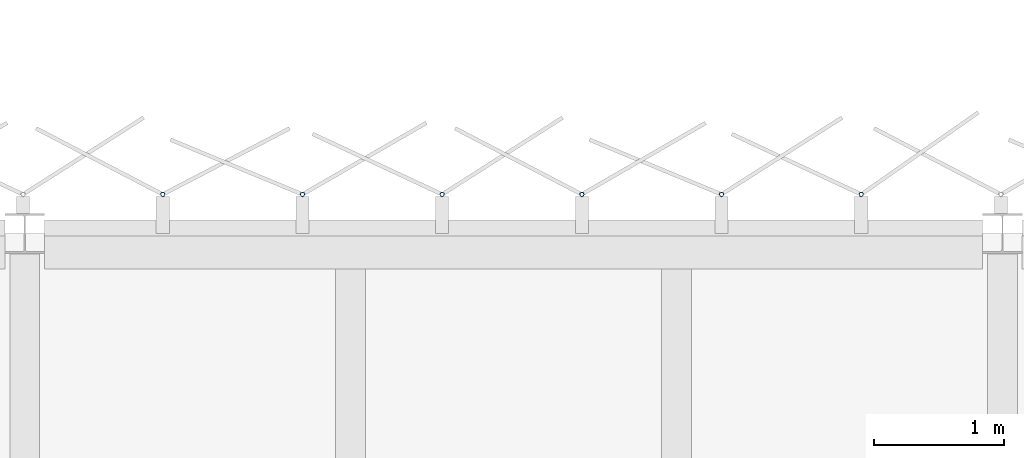
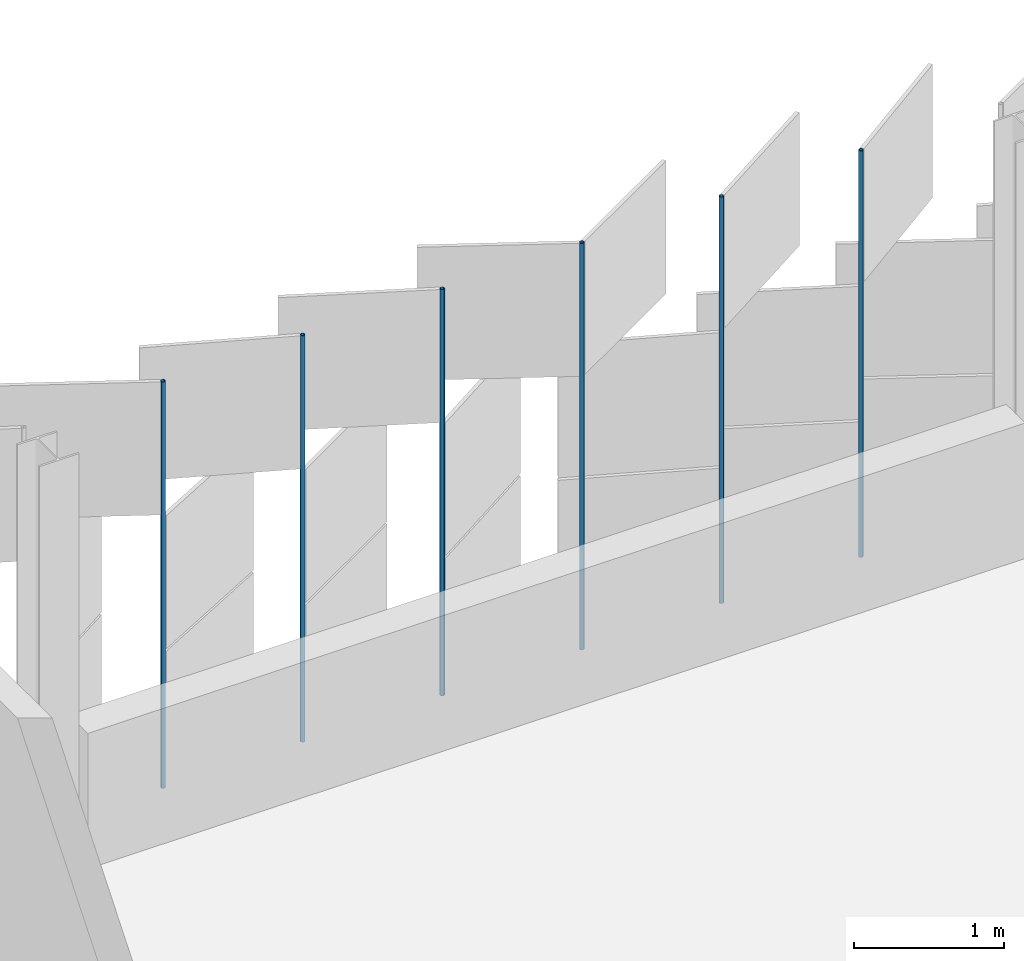
# One storey, part 138 of 198: 6 discrete accessories.
"""IFC4 building model written with IfcOpenShell, lengths in metres."""

import ifcopenshell
import ifcopenshell.guid

model = None  # the IFC model being written
_history = None  # IfcOwnerHistory: only IFC2X3 demands one
_inside = {}  # id of a spatial element -> (the spatial element, [elements in it])
_under = {}  # id of a project, library or spatial element -> (it, [spatial elements below it])
_declared = {}  # id of a project -> (the project, [libraries it declares])
_typed = {}  # id of a type object -> (the type object, [elements of that type])
_made_of = {}  # id of a material, layer set ... -> (it, [elements and type objects made of it])


def new_model(schema):
    """Start an empty IFC model of exactly this schema.

    Asked for "IFC4X3", IfcOpenShell would pick the latest addendum, in which some entities
    have other attributes; the version numbers below select the first issue.
    IFC2X3 requires an IfcOwnerHistory on every rooted entity: one is made here for all.
    """
    global model, _history
    if schema == "IFC4X3":
        model = ifcopenshell.file(schema_version=(4, 3, 0, 0))
    else:
        model = ifcopenshell.file(schema=schema)
    _inside.clear()
    _under.clear()
    _declared.clear()
    _typed.clear()
    _made_of.clear()
    _history = None
    if model.schema == "IFC2X3":
        org = make("IfcOrganization", Name="unknown")
        user = make(
            "IfcPersonAndOrganization",
            ThePerson=make("IfcPerson", FamilyName="unknown"),
            TheOrganization=org,
        )
        app = make(
            "IfcApplication",
            ApplicationDeveloper=org,
            Version="unknown",
            ApplicationFullName="unknown",
            ApplicationIdentifier="unknown",
        )
        _history = make(
            "IfcOwnerHistory",
            OwningUser=user,
            OwningApplication=app,
            ChangeAction="ADDED",
            CreationDate=0,
        )
    return model


def make(cls, **values):
    """One entity of the class cls with the attributes given. An attribute that is None is left unset."""
    return model.create_entity(
        cls, **{name: value for name, value in values.items() if value is not None}
    )


def rooted(cls, **values):
    """An entity with a GlobalId (a new one), such as an element, a storey or a relation."""
    return make(cls, GlobalId=ifcopenshell.guid.new(), OwnerHistory=_history, **values)


def si_unit(unit_type, name, prefix=None):
    """IfcSIUnit, for example si_unit("LENGTHUNIT", "METRE", prefix="MILLI")."""
    return make("IfcSIUnit", UnitType=unit_type, Prefix=prefix, Name=name)


def assignment(units):
    """IfcUnitAssignment: the units of a project."""
    return None if units is None else make("IfcUnitAssignment", Units=units)


def point(xyz):
    """IfcCartesianPoint."""
    return None if xyz is None else make("IfcCartesianPoint", Coordinates=xyz)


def direction(xyz):
    """IfcDirection."""
    return None if xyz is None else make("IfcDirection", DirectionRatios=xyz)


def frame(location, z_axis=None, x_axis=None):
    """IfcAxis2Placement3D, a coordinate frame: its origin and axes. An axis left out is left unset."""
    return make(
        "IfcAxis2Placement3D",
        Location=point(location),
        Axis=direction(z_axis),
        RefDirection=direction(x_axis),
    )


def frame_2d(location, x_axis=None):
    """IfcAxis2Placement2D, a coordinate frame in the plane: its origin and x axis."""
    return make(
        "IfcAxis2Placement2D", Location=point(location), RefDirection=direction(x_axis)
    )


def origin():
    """The frame at (0, 0, 0) with its axes left unset."""
    return frame((0.0, 0.0, 0.0))


def origin_2d():
    """The frame at (0, 0) in the plane with its x axis left unset."""
    return frame_2d((0.0, 0.0))


def place(relative_to, where):
    """IfcLocalPlacement: puts the frame where relative to a parent placement (None: the world)."""
    return make(
        "IfcLocalPlacement", PlacementRelTo=relative_to, RelativePlacement=where
    )


def context(
    kind, dimensions, precision=None, world=None, true_north=None, identifier=None
):
    """IfcGeometricRepresentationContext, for example the 3D "Model" context."""
    return make(
        "IfcGeometricRepresentationContext",
        ContextIdentifier=identifier,
        ContextType=kind,
        CoordinateSpaceDimension=dimensions,
        Precision=precision,
        WorldCoordinateSystem=world,
        TrueNorth=true_north,
    )


def subcontext(parent, identifier, kind, view, scale=None):
    """IfcGeometricRepresentationSubContext, for example "Body" below "Model"."""
    return make(
        "IfcGeometricRepresentationSubContext",
        ContextIdentifier=identifier,
        ContextType=kind,
        ParentContext=parent,
        TargetScale=scale,
        TargetView=view,
    )


def project(units=None, contexts=None):
    """IfcProject with its units and contexts."""
    return rooted(
        "IfcProject",
        Name="project",
        RepresentationContexts=contexts,
        UnitsInContext=assignment(units),
    )


def spatial(cls, under=None, at=None, **own):
    """A site, building, storey or space (cls), placed at a placement, below another one or the project."""
    s = rooted(cls, ObjectPlacement=at, **own)
    if under is not None:
        _under.setdefault(under.id(), (under, []))[1].append(s)
    return s


def profile(cls, at=None, kind="AREA", **sizes):
    """A parametric profile (cls). Its sizes go by their IFC names, for example OverallWidth=200.0."""
    return make(cls, ProfileType=kind, Position=at, **sizes)


def hollow_circle(**sizes):
    """IfcCircleHollowProfileDef."""
    return profile("IfcCircleHollowProfileDef", **sizes)


def extrude(swept, where, along, depth):
    """IfcExtrudedAreaSolid: the profile swept, set in the frame where, extruded along a direction by depth."""
    return make(
        "IfcExtrudedAreaSolid",
        SweptArea=swept,
        Position=where,
        ExtrudedDirection=direction(along),
        Depth=depth,
    )


def shape(context_of_items, identifier, shape_type, items):
    """IfcShapeRepresentation: the items that make up one representation, for example the "Body"."""
    return make(
        "IfcShapeRepresentation",
        ContextOfItems=context_of_items,
        RepresentationIdentifier=identifier,
        RepresentationType=shape_type,
        Items=items,
    )


def material(Name=None, Category=None):
    """IfcMaterial."""
    return make("IfcMaterial", Name=Name, Category=Category)


def material_profile(
    of_material, cross_section, Name=None, Category=None, Priority=None
):
    """IfcMaterialProfile: a cross section and its material."""
    return make(
        "IfcMaterialProfile",
        Name=Name,
        Material=of_material,
        Profile=cross_section,
        Priority=Priority,
        Category=Category,
    )


def profile_set(profiles, Name=None, composite=None):
    """IfcMaterialProfileSet."""
    return make(
        "IfcMaterialProfileSet",
        Name=Name,
        MaterialProfiles=profiles,
        CompositeProfile=composite,
    )


def made_of(thing, what):
    """Note that an element or type object is made of a material, layer set ...; save() writes the relation."""
    if what is not None:
        _made_of.setdefault(what.id(), (what, []))[1].append(thing)
    return thing


def type_object(cls, material=None, **own):
    """A type object (cls), such as IfcWallType, which elements share."""
    return made_of(rooted(cls, **own), material)


def element(
    cls,
    number,
    at=None,
    inside=None,
    cuts=None,
    type_object=None,
    material=None,
    context=None,
    identifier="Body",
    shape_type=None,
    held_by="IfcProductDefinitionShape",
    body=None,
    shapes=None,
    **own,
):
    """One element of the class cls, such as IfcWall. Its Tag is "e" and its number.

    at: its placement. inside: the storey or other place that contains it. cuts: it is an
    opening in that element (IfcRelVoidsElement). A single representation is given by context,
    identifier, shape_type and body (its items); several are given by shapes. held_by: the class
    of the entity that holds the representations. save() writes the other relations.
    """
    e = rooted(cls, Tag="e%d" % number, ObjectPlacement=at, **own)
    if body is not None:
        shapes = [shape(context, identifier, shape_type, body)]
    if shapes is not None:
        e.Representation = make(held_by, Representations=shapes)
    if inside is not None:
        _inside.setdefault(inside.id(), (inside, []))[1].append(e)
    if cuts is not None:
        rooted(
            "IfcRelVoidsElement", RelatingBuildingElement=cuts, RelatedOpeningElement=e
        )
    if type_object is not None:
        _typed.setdefault(type_object.id(), (type_object, []))[1].append(e)
    return made_of(e, material)


def aggregate(whole, parts):
    """IfcRelAggregates: a whole, such as a stair, and the parts it consists of."""
    return rooted("IfcRelAggregates", RelatingObject=whole, RelatedObjects=parts)


def save(model, path):
    """Write the relations noted so far, then the file.

    IfcRelAggregates (storeys below a building ...), IfcRelContainedInSpatialStructure (elements
    in a storey), IfcRelDefinesByType, IfcRelAssociatesMaterial and IfcRelDeclares: one each for
    every whole, place, type object, material and project.
    """
    for whole, parts in _under.values():
        aggregate(whole, parts)
    for where, things in _inside.values():
        rooted(
            "IfcRelContainedInSpatialStructure",
            RelatedElements=things,
            RelatingStructure=where,
        )
    for kind, things in _typed.values():
        rooted("IfcRelDefinesByType", RelatedObjects=things, RelatingType=kind)
    for what, things in _made_of.values():
        rooted("IfcRelAssociatesMaterial", RelatedObjects=things, RelatingMaterial=what)
    for by, libraries in _declared.values():
        rooted("IfcRelDeclares", RelatingContext=by, RelatedDefinitions=libraries)
    model.write(path)


model = new_model("IFC4")

# Units and contexts
model_context = context("Model", 3, precision=1e-05, world=origin(), true_north=direction((0.0, 1.0)))
body_context = subcontext(model_context, "Body", "Model", "MODEL_VIEW")
ifc_project = project(units=[si_unit("LENGTHUNIT", "METRE"), si_unit("AREAUNIT", "SQUARE_METRE"), si_unit("VOLUMEUNIT", "CUBIC_METRE"), si_unit("PLANEANGLEUNIT", "RADIAN"), si_unit("MASSUNIT", "GRAM", prefix="KILO")], contexts=[model_context])

# Site, building, storey
site_placement = place(None, origin())
site = spatial("IfcSite", under=ifc_project, at=site_placement, CompositionType="ELEMENT")
building_placement = place(site_placement, origin())
building = spatial("IfcBuilding", under=site, at=building_placement, Name="Parallax Yard Mobility Hub", CompositionType="ELEMENT")
storey_placement = place(building_placement, frame((0.0, 0.0, 6.60009765625)))
storey = spatial("IfcBuildingStorey", under=building, at=storey_placement, Name="L02", CompositionType="ELEMENT", Elevation=6.60009765625)

# Discrete accessories
ifc_material = material(Name="Steel ASTM A500 Gr C, hot-dip galvanised", Category="steel")
ifc_material_profile = material_profile(ifc_material, hollow_circle(Radius=0.016845703125, WallThickness=0.003173828125, at=origin_2d()), Name="CHS 33.7x3.2")
ifc_profile_set = profile_set([ifc_material_profile], Name="Steel ASTM A500 Gr C, hot-dip galvanised")
discrete_accessory_type = type_object("IfcDiscreteAccessoryType", Name="Hinge post CHS 33.7x3.2", PredefinedType="BRACKET", material=ifc_profile_set)
for number, where, z_axis, x_axis, name in (
    (1, (58.9169921875, 142.800048828125, 0.0), (0.0, 0.0, 1.0), (1.0, 0.0, 0.0), "Hinge post bay 66.2 level L02"),
    (2, (57.845458984375, 142.800048828125, 0.0), (0.0, 0.0, 1.0), (1.0, 0.0, 0.0), "Hinge post bay 66.3 level L02"),
    (3, (56.77392578125, 142.800048828125, 0.0), (0.0, 0.0, 1.0), (1.0, 0.0, 0.0), "Hinge post bay 66.4 level L02"),
    (4, (55.702392578125, 142.800048828125, 0.0), (0.0, 0.0, 1.0), (1.0, 0.0, 0.0), "Hinge post bay 66.5 level L02"),
    (5, (54.630859375, 142.800048828125, 0.0), (0.0, 0.0, 1.0), (1.0, 0.0, 0.0), "Hinge post bay 66.6 level L02"),
    (6, (53.55908203125, 142.800048828125, 0.0), (0.0, 0.0, 1.0), (1.0, 0.0, 0.0), "Hinge post bay 66.7 level L02"),
):
    element("IfcDiscreteAccessory", number, at=place(storey_placement, frame(where, z_axis=z_axis, x_axis=x_axis)), inside=storey, type_object=discrete_accessory_type, Name=name, PredefinedType="BRACKET", context=body_context, shape_type="SweptSolid", body=[
        extrude(hollow_circle(Radius=0.016845703125, WallThickness=0.003173828125, at=origin_2d()), origin(), (0.0, 0.0, 1.0), 3.2998046875),
    ])

save(model, "model.ifc")
